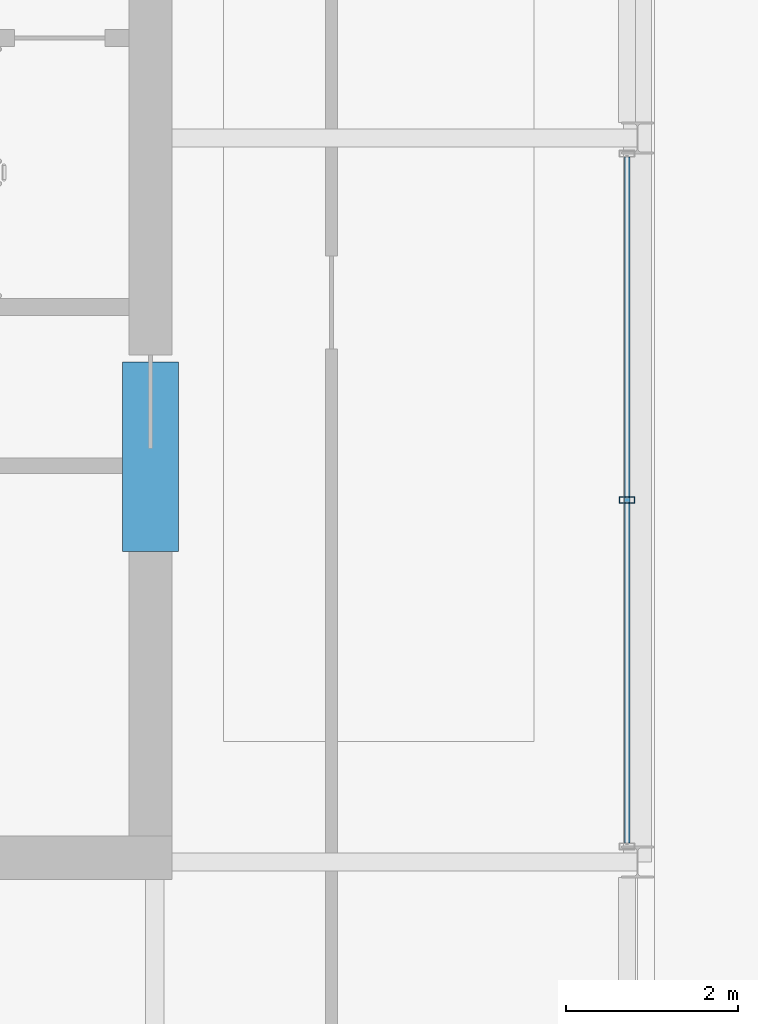
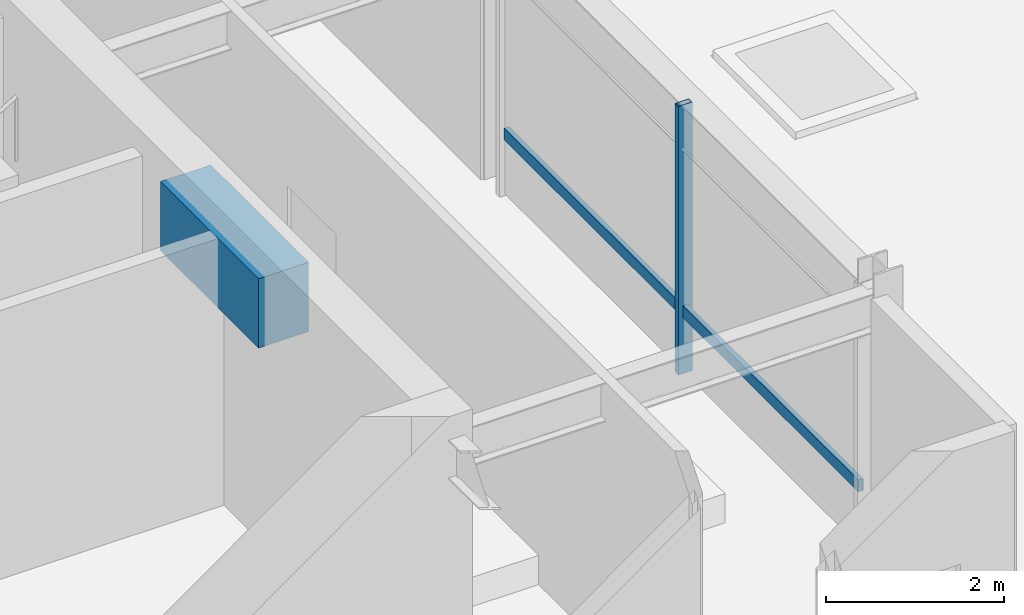
# One storey, part 6 of 17: 2 members, 1 beam, 1 element without a shape of its own.
"""IFC4 building model written with IfcOpenShell, lengths in metres."""

from ifc_helpers import new_model, si_unit, direction, frame, origin, origin_2d, place, context, subcontext, project, spatial, rectangle, hollow_rectangle, extrude, material, layer, layer_set, material_profile, profile_set, type_object, element, aggregate, save


model = new_model("IFC4")

# Units and contexts
model_context = context("Model", 3, precision=1e-05, world=origin(), true_north=direction((0.0, 1.0)))
body_context = subcontext(model_context, "Body", "Model", "MODEL_VIEW")
ifc_project = project(units=[si_unit("LENGTHUNIT", "METRE"), si_unit("AREAUNIT", "SQUARE_METRE"), si_unit("VOLUMEUNIT", "CUBIC_METRE"), si_unit("PLANEANGLEUNIT", "RADIAN"), si_unit("MASSUNIT", "GRAM", prefix="KILO")], contexts=[model_context])

# Site, building, storey
site_placement = place(None, origin())
site = spatial("IfcSite", under=ifc_project, at=site_placement, CompositionType="ELEMENT")
building_placement = place(site_placement, origin())
building = spatial("IfcBuilding", under=site, at=building_placement, Name="Drelvath Grand Hotel", CompositionType="ELEMENT")
storey_placement = place(building_placement, frame((0.0, 0.0, 311.39990234375)))
storey = spatial("IfcBuildingStorey", under=building, at=storey_placement, Name="L81", CompositionType="ELEMENT", Elevation=311.39990234375)

# Beam
ifc_material_1 = material(Name="Concrete f'c 55 MPa", Category="concrete")
ifc_material_profile_1 = material_profile(ifc_material_1, rectangle(XDim=0.64990234375, YDim=0.949951171875, at=origin_2d()), Name="CB650X950")
ifc_profile_set_1 = profile_set([ifc_material_profile_1], Name="Concrete f'c 55 MPa")
beam_type = type_object("IfcBeamType", Name="Core Coupling Lintel CB650X950", PredefinedType="LINTEL", material=ifc_profile_set_1)
beam_placement = place(storey_placement, frame((8.35009765625, 22.199951171875, 3.205078125), z_axis=(0.0, 1.0, 0.0), x_axis=(-1.0, 0.0, 0.0)))
element("IfcBeam", 1, at=beam_placement, inside=storey, type_object=beam_type, Name="L81 Core Coupling Lintel ES", PredefinedType="LINTEL", context=body_context, shape_type="SweptSolid", body=[
    extrude(rectangle(XDim=0.64990234375, YDim=0.949951171875, at=origin_2d()), origin(), (0.0, 0.0, 1.0), 2.199951171875),
])

# Curtain wall, members
ifc_material_2 = material(Name="Pale-Metal Anodised Aluminium Crown Frame", Category="aluminium")
ifc_layer = layer(ifc_material_2, 0.199951171875)
ifc_layer_set = layer_set([ifc_layer], Name="Pale-Metal Anodised Aluminium Crown Frame")
curtain_wall_type = type_object("IfcCurtainWallType", Name="Stick Curtain Wall CW-06 Pale-Metal Crown Clerestory", PredefinedType="NOTDEFINED", material=ifc_layer_set)
curtain_wall_placement = place(storey_placement, origin())
curtain_wall = element("IfcCurtainWall", 2, at=curtain_wall_placement, inside=storey, type_object=curtain_wall_type, Name="L81 CW-06 Curtain Wall CW06-L81-E", PredefinedType="NOTDEFINED")
ifc_material_profile_2 = material_profile(ifc_material_2, hollow_rectangle(XDim=0.06494140625, YDim=0.159912109375, WallThickness=0.00390625, at=origin_2d()), Name="HSS160X65X4")
ifc_profile_set_2 = profile_set([ifc_material_profile_2], Name="Pale-Metal Anodised Aluminium Crown Frame")
member_type_1 = type_object("IfcMemberType", Name="Curtain Wall Horizontal Transom CW-06 HSS160X65X4", PredefinedType="USERDEFINED", material=ifc_profile_set_2)
member_1_placement = place(storey_placement, frame((13.8798828125, 26.77783203125, 0.85009765625), z_axis=(0.0, -1.0, 0.0), x_axis=(1.0, 0.0, 0.0)))
member_1 = element("IfcMember", 3, at=member_1_placement, type_object=member_type_1, Name="CW06-L81-E Sill Transom", ObjectType="TRANSOM", PredefinedType="USERDEFINED", context=body_context, shape_type="SweptSolid", body=[
    extrude(hollow_rectangle(XDim=0.06494140625, YDim=0.159912109375, WallThickness=0.00390625, at=origin_2d()), origin(), (0.0, 0.0, 1.0), 7.95556640625),
])
ifc_material_profile_3 = material_profile(ifc_material_2, hollow_rectangle(XDim=0.074951171875, YDim=0.179931640625, WallThickness=0.0048828125, at=origin_2d()), Name="HSS180X75X5")
ifc_profile_set_3 = profile_set([ifc_material_profile_3], Name="Pale-Metal Anodised Aluminium Crown Frame")
member_type_2 = type_object("IfcMemberType", Name="Curtain Wall Vertical Mullion CW-06 HSS180X75X5", PredefinedType="MULLION", material=ifc_profile_set_3)
member_2_placement = place(storey_placement, frame((13.8798828125, 22.800048828125, 0.0), z_axis=(0.0, 0.0, 1.0), x_axis=(0.0, 1.0, 0.0)))
member_2 = element("IfcMember", 4, at=member_2_placement, type_object=member_type_2, Name="CW06-L81-E Mullion 2", PredefinedType="MULLION", context=body_context, shape_type="SweptSolid", body=[
    extrude(hollow_rectangle(XDim=0.074951171875, YDim=0.179931640625, WallThickness=0.0048828125, at=origin_2d()), origin(), (0.0, 0.0, 1.0), 3.68017578125),
])
aggregate(curtain_wall, [member_2, member_1])

save(model, "model.ifc")
